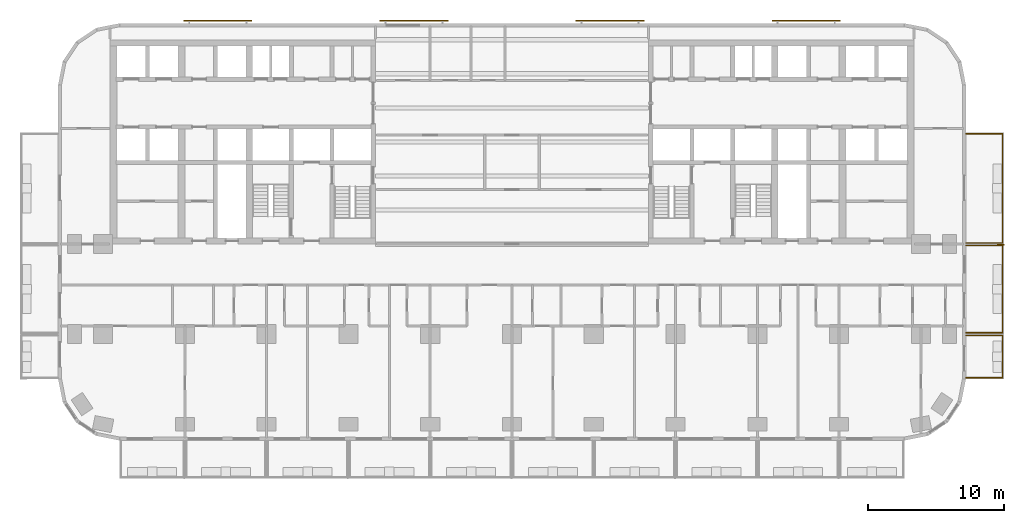
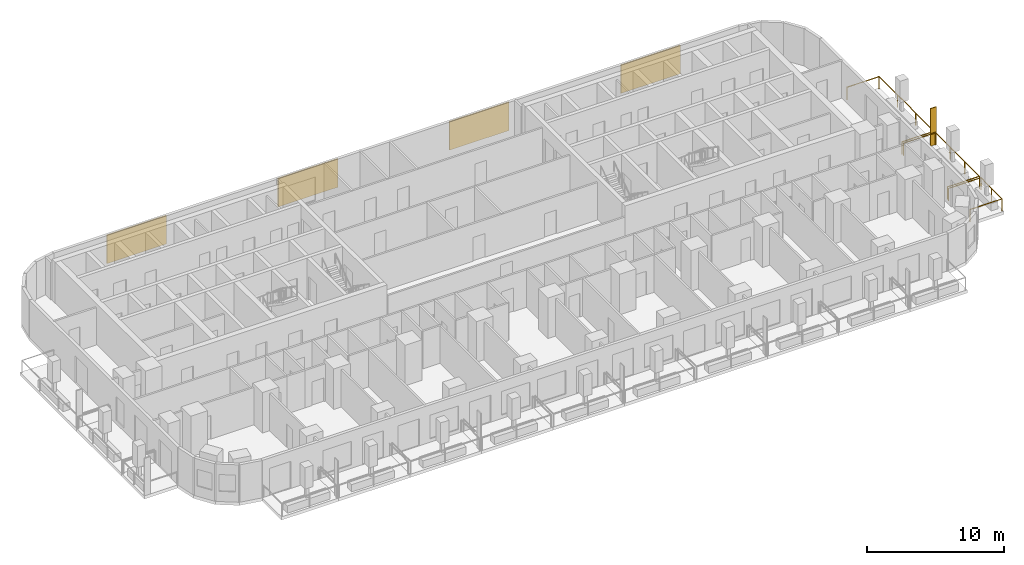
# One storey, part 14 of 15: 5 shading devices, 3 railings.
"""IFC4 building model written with IfcOpenShell, lengths in metres."""

from ifc_helpers import new_model, si_unit, direction, frame, origin, origin_2d, place, context, subcontext, project, spatial, rectangle, circle, extrude, material, layer, layer_set, type_object, element, save


model = new_model("IFC4")

# Units and contexts
model_context = context("Model", 3, precision=1e-05, world=origin(), true_north=direction((0.0, 1.0)))
body_context = subcontext(model_context, "Body", "Model", "MODEL_VIEW")
ifc_project = project(units=[si_unit("LENGTHUNIT", "METRE"), si_unit("AREAUNIT", "SQUARE_METRE"), si_unit("VOLUMEUNIT", "CUBIC_METRE"), si_unit("PLANEANGLEUNIT", "RADIAN"), si_unit("MASSUNIT", "GRAM", prefix="KILO")], contexts=[model_context])

# Site, building, storey
site_placement = place(None, origin())
site = spatial("IfcSite", under=ifc_project, at=site_placement, CompositionType="ELEMENT")
building_placement = place(site_placement, origin())
building = spatial("IfcBuilding", under=site, at=building_placement, Name="Torana Hotel and Residences", CompositionType="ELEMENT")
storey_placement = place(building_placement, frame((0.0, 0.0, 70.800048828125)))
storey = spatial("IfcBuildingStorey", under=building, at=storey_placement, Name="L17", CompositionType="ELEMENT", Elevation=70.800048828125)

# Shading device
ifc_material_1 = material(Name="Black powder coated aluminium", Category="aluminium")
ifc_layer_1 = layer(ifc_material_1, 0.080078125)
ifc_layer_set_1 = layer_set([ifc_layer_1], Name="FN1 VERTICAL FIN 500x80")
shading_device_type_1 = type_object("IfcShadingDeviceType", Name="FN1 VERTICAL FIN 500x80", PredefinedType="USERDEFINED", material=ifc_layer_set_1)
shading_device_placement = place(storey_placement, frame((35.85009765625, -15.0400390625, 0.0), z_axis=(0.0, 0.0, 1.0), x_axis=(0.0, -1.0, 0.0)))
element("IfcShadingDevice", 1, at=shading_device_placement, inside=storey, type_object=shading_device_type_1, Name="Fin 15", ObjectType="FIN", PredefinedType="USERDEFINED", context=body_context, shape_type="SweptSolid", body=[
    extrude(rectangle(XDim=0.080078125, YDim=0.5, at=origin_2d()), origin(), (0.0, 0.0, 1.0), 3.320068359375),
])

# Railings
ifc_material_2 = material(Name="Laminated glass balustrade with black handrail", Category="glass")
railing_type = type_object("IfcRailingType", Name="GR1 BALCONY GUARD 1100 GLASS", PredefinedType="GUARDRAIL", material=ifc_material_2)
railing_1_placement = place(storey_placement, frame((33.300048828125, -21.699951171875, 0.0)))
element("IfcRailing", 2, at=railing_1_placement, inside=storey, type_object=railing_type, Name="Balcony guard 14", PredefinedType="GUARDRAIL", context=body_context, shape_type="SweptSolid", body=[
    extrude(circle(Radius=0.02392578125, at=origin_2d()), frame((0.0, 0.0, 1.076171875), z_axis=(1.0, 0.0, 0.0), x_axis=(0.0, 1.0, 0.0)), (0.0, 0.0, 1.0), 2.699951171875),
    extrude(circle(Radius=0.02392578125, at=origin_2d()), frame((2.699951171875, 0.0, 1.076171875), z_axis=(0.0, -1.0, 0.0), x_axis=(1.0, 0.0, 0.0)), (0.0, 0.0, 1.0), 3.10009765625),
    extrude(circle(Radius=0.02392578125, at=origin_2d()), frame((2.699951171875, -3.10009765625, 1.076171875), z_axis=(-1.0, 0.0, 0.0), x_axis=(0.0, -1.0, 0.0)), (0.0, 0.0, 1.0), 2.699951171875),
    extrude(circle(Radius=0.02099609375, at=origin_2d()), origin(), (0.0, 0.0, 1.0), 1.052001953125),
    extrude(circle(Radius=0.02099609375, at=origin_2d()), frame((2.699951171875, 0.0, 0.0)), (0.0, 0.0, 1.0), 1.052001953125),
    extrude(circle(Radius=0.02099609375, at=origin_2d()), frame((2.699951171875, -1.550048828125, 0.0)), (0.0, 0.0, 1.0), 1.052001953125),
    extrude(circle(Radius=0.02099609375, at=origin_2d()), frame((2.699951171875, -3.10009765625, 0.0)), (0.0, 0.0, 1.0), 1.052001953125),
    extrude(circle(Radius=0.02099609375, at=origin_2d()), frame((0.0, -3.10009765625, 0.0)), (0.0, 0.0, 1.0), 1.052001953125),
])
railing_2_placement = place(storey_placement, frame((33.300048828125, -15.10009765625, 0.0)))
element("IfcRailing", 3, at=railing_2_placement, inside=storey, type_object=railing_type, Name="Balcony guard 15", PredefinedType="GUARDRAIL", context=body_context, shape_type="SweptSolid", body=[
    extrude(circle(Radius=0.02392578125, at=origin_2d()), frame((0.0, 0.0, 1.076171875), z_axis=(1.0, 0.0, 0.0), x_axis=(0.0, 1.0, 0.0)), (0.0, 0.0, 1.0), 2.699951171875),
    extrude(circle(Radius=0.02392578125, at=origin_2d()), frame((2.699951171875, 0.0, 1.076171875), z_axis=(0.0, -1.0, 0.0), x_axis=(1.0, 0.0, 0.0)), (0.0, 0.0, 1.0), 6.39990234375),
    extrude(circle(Radius=0.02392578125, at=origin_2d()), frame((2.699951171875, -6.39990234375, 1.076171875), z_axis=(-1.0, 0.0, 0.0), x_axis=(0.0, -1.0, 0.0)), (0.0, 0.0, 1.0), 2.699951171875),
    extrude(circle(Radius=0.02099609375, at=origin_2d()), origin(), (0.0, 0.0, 1.0), 1.052001953125),
    extrude(circle(Radius=0.02099609375, at=origin_2d()), frame((2.699951171875, 0.0, 0.0)), (0.0, 0.0, 1.0), 1.052001953125),
    extrude(circle(Radius=0.02099609375, at=origin_2d()), frame((2.699951171875, -2.13330078125, 0.0)), (0.0, 0.0, 1.0), 1.052001953125),
    extrude(circle(Radius=0.02099609375, at=origin_2d()), frame((2.699951171875, -4.2666015625, 0.0)), (0.0, 0.0, 1.0), 1.052001953125),
    extrude(circle(Radius=0.02099609375, at=origin_2d()), frame((2.699951171875, -6.39990234375, 0.0)), (0.0, 0.0, 1.0), 1.052001953125),
    extrude(circle(Radius=0.02099609375, at=origin_2d()), frame((0.0, -6.39990234375, 0.0)), (0.0, 0.0, 1.0), 1.052001953125),
])
railing_3_placement = place(storey_placement, frame((33.300048828125, -6.89990234375, 0.0)))
element("IfcRailing", 4, at=railing_3_placement, inside=storey, type_object=railing_type, Name="Balcony guard 16", PredefinedType="GUARDRAIL", context=body_context, shape_type="SweptSolid", body=[
    extrude(circle(Radius=0.02392578125, at=origin_2d()), frame((0.0, 0.0, 1.076171875), z_axis=(1.0, 0.0, 0.0), x_axis=(0.0, 1.0, 0.0)), (0.0, 0.0, 1.0), 2.699951171875),
    extrude(circle(Radius=0.02392578125, at=origin_2d()), frame((2.699951171875, 0.0, 1.076171875), z_axis=(0.0, -1.0, 0.0), x_axis=(1.0, 0.0, 0.0)), (0.0, 0.0, 1.0), 8.0),
    extrude(circle(Radius=0.02392578125, at=origin_2d()), frame((2.699951171875, -8.0, 1.076171875), z_axis=(-1.0, 0.0, 0.0), x_axis=(0.0, -1.0, 0.0)), (0.0, 0.0, 1.0), 2.699951171875),
    extrude(circle(Radius=0.02099609375, at=origin_2d()), origin(), (0.0, 0.0, 1.0), 1.052001953125),
    extrude(circle(Radius=0.02099609375, at=origin_2d()), frame((2.699951171875, 0.0, 0.0)), (0.0, 0.0, 1.0), 1.052001953125),
    extrude(circle(Radius=0.02099609375, at=origin_2d()), frame((2.699951171875, -2.666748046875, 0.0)), (0.0, 0.0, 1.0), 1.052001953125),
    extrude(circle(Radius=0.02099609375, at=origin_2d()), frame((2.699951171875, -5.333251953125, 0.0)), (0.0, 0.0, 1.0), 1.052001953125),
    extrude(circle(Radius=0.02099609375, at=origin_2d()), frame((2.699951171875, -8.0, 0.0)), (0.0, 0.0, 1.0), 1.052001953125),
    extrude(circle(Radius=0.02099609375, at=origin_2d()), frame((0.0, -8.0, 0.0)), (0.0, 0.0, 1.0), 1.052001953125),
])

# Shading devices
ifc_material_3 = material(Name="Concrete C40/50 precast", Category="concrete")
ifc_layer_2 = layer(ifc_material_3, 0.10009765625)
ifc_layer_set_2 = layer_set([ifc_layer_2], Name="SC1 PERFORATED BLOCK SCREEN PANEL 100")
shading_device_type_2 = type_object("IfcShadingDeviceType", Name="SC1 PERFORATED BLOCK SCREEN PANEL 100", PredefinedType="USERDEFINED", material=ifc_layer_set_2)
for number, where, z_axis, x_axis, name in (
    (5, (21.58154296875, 1.39990234375, 0.5), (0.0, 0.0, 1.0), (-1.0, 0.0, 0.0), "Perforated block screen L17"),
    (6, (7.19384765625, 1.39990234375, 0.5), (0.0, 0.0, 1.0), (-1.0, 0.0, 0.0), "Perforated block screen L17"),
    (7, (-7.19384765625, 1.39990234375, 0.5), (0.0, 0.0, 1.0), (-1.0, 0.0, 0.0), "Perforated block screen L17"),
    (8, (-21.58154296875, 1.39990234375, 0.5), (0.0, 0.0, 1.0), (-1.0, 0.0, 0.0), "Perforated block screen L17"),
):
    element("IfcShadingDevice", number, at=place(storey_placement, frame(where, z_axis=z_axis, x_axis=x_axis)), inside=storey, type_object=shading_device_type_2, Name=name, ObjectType="SCREEN", PredefinedType="USERDEFINED", context=body_context, shape_type="SweptSolid", body=[
        extrude(rectangle(XDim=5.0, YDim=0.10009765625, at=origin_2d()), origin(), (0.0, 0.0, 1.0), 2.52001953125),
    ])

save(model, "model.ifc")
